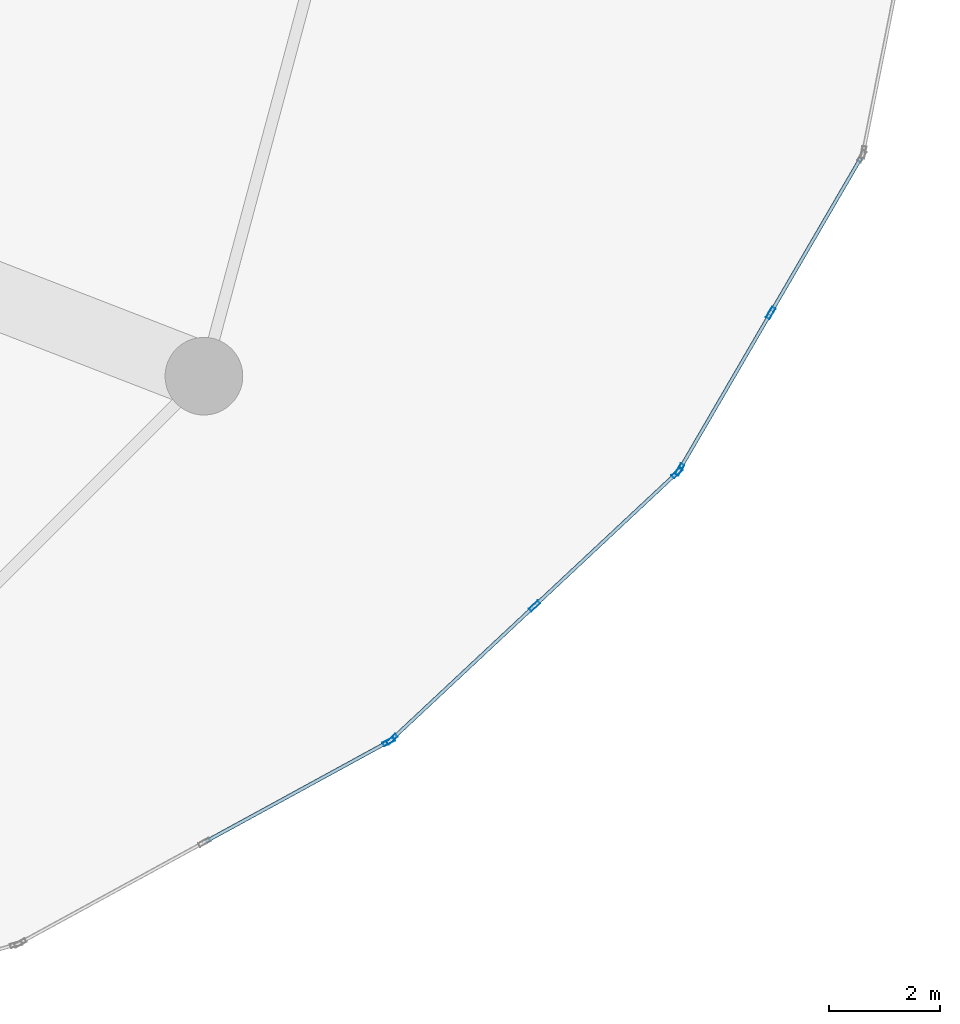
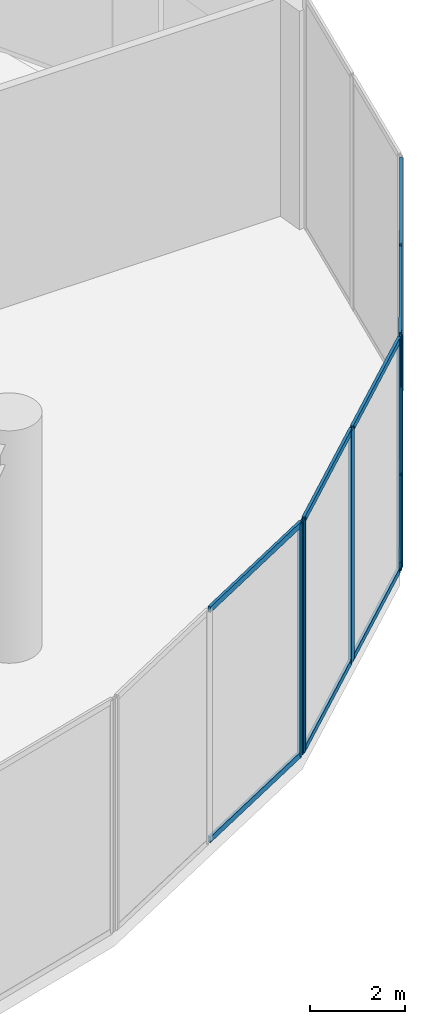
# One storey, part 11 of 28: 16 members, 3 elements without a shape of their own.
"""IFC4 building model written with IfcOpenShell, lengths in metres."""

from ifc_helpers import new_model, si_unit, direction, frame, origin, origin_2d, place, context, subcontext, project, spatial, hollow_rectangle, extrude, source, transform, mapped, material, layer, layer_set, material_profile, profile_set, type_object, element, aggregate, save


model = new_model("IFC4")

# Units and contexts
model_context = context("Model", 3, precision=1e-05, world=origin(), true_north=direction((0.0, 1.0)))
body_context = subcontext(model_context, "Body", "Model", "MODEL_VIEW")
ifc_project = project(units=[si_unit("LENGTHUNIT", "METRE"), si_unit("AREAUNIT", "SQUARE_METRE"), si_unit("VOLUMEUNIT", "CUBIC_METRE"), si_unit("PLANEANGLEUNIT", "RADIAN"), si_unit("MASSUNIT", "GRAM", prefix="KILO")], contexts=[model_context])

# Site, building, storey
site_placement = place(None, origin())
site = spatial("IfcSite", under=ifc_project, at=site_placement, CompositionType="ELEMENT")
building_placement = place(site_placement, origin())
building = spatial("IfcBuilding", under=site, at=building_placement, Name="Solvirekh Grand Hotel", CompositionType="ELEMENT")
storey_placement = place(building_placement, frame((0.0, 0.0, 12.60009765625)))
storey = spatial("IfcBuildingStorey", under=building, at=storey_placement, Name="L02", CompositionType="ELEMENT", Elevation=12.60009765625)

# Curtain wall, members
ifc_material = material(Name="Anodized Bronze Aluminium 6063-T6", Category="aluminium")
ifc_layer = layer(ifc_material, 0.219970703125)
ifc_layer_set = layer_set([ifc_layer], Name="Anodized Bronze Aluminium 6063-T6")
curtain_wall_type = type_object("IfcCurtainWallType", Name="CW_Sys1_PodiumBronzeUnitised", PredefinedType="NOTDEFINED", material=ifc_layer_set)
curtain_wall_1_placement = place(storey_placement, origin())
curtain_wall_1 = element("IfcCurtainWall", 1, at=curtain_wall_1_placement, inside=storey, type_object=curtain_wall_type, Name="L02 unitised bronze-glass curtain wall CW-L02-C22", PredefinedType="NOTDEFINED")
ifc_material_profile_1 = material_profile(ifc_material, hollow_rectangle(XDim=0.06494140625, YDim=0.14990234375, WallThickness=0.0048828125, at=origin_2d()), Name="ALU RHS 150X65X5")
ifc_profile_set_1 = profile_set([ifc_material_profile_1], Name="Anodized Bronze Aluminium 6063-T6")
member_type_1 = type_object("IfcMemberType", Name="CWTransom_Sys1", PredefinedType="USERDEFINED", material=ifc_profile_set_1)
shared_shape_1 = source(origin(), body_context, "Body", "SweptSolid", [
    extrude(hollow_rectangle(XDim=0.06494140625, YDim=0.14990234375, WallThickness=0.0048828125, at=origin_2d()), origin(), (0.0, 0.0, 1.0), 3.443115234375),
])
member_1_placement = place(storey_placement, frame((22.2978515625, -17.4208984375, 0.032470703125), z_axis=(0.730496178915, 0.682916783064, 0.0), x_axis=(-0.682916783064, 0.730496178915, 0.0)))
member_1 = element("IfcMember", 2, at=member_1_placement, type_object=member_type_1, Name="U01 transom 1.1", ObjectType="TRANSOM", PredefinedType="USERDEFINED", context=body_context, shape_type="MappedRepresentation", body=[
    mapped(shared_shape_1, transform((0.0, 0.0, 0.0), x_axis=(1.0, 0.0, 0.0), y_axis=(0.0, 1.0, 0.0), z_axis=(0.0, 0.0, 1.0), scale=1.0)),
])
member_2_placement = place(storey_placement, frame((22.2978515625, -17.4208984375, 5.96728515625), z_axis=(0.730496178915, 0.682916783064, 0.0), x_axis=(-0.682916783064, 0.730496178915, 0.0)))
member_2 = element("IfcMember", 3, at=member_2_placement, type_object=member_type_1, Name="U01 transom 1.2", ObjectType="TRANSOM", PredefinedType="USERDEFINED", context=body_context, shape_type="MappedRepresentation", body=[
    mapped(shared_shape_1, transform((0.0, 0.0, 0.0), x_axis=(1.0, 0.0, 0.0), y_axis=(0.0, 1.0, 0.0), z_axis=(0.0, 0.0, 1.0), scale=1.0)),
])
member_3_placement = place(storey_placement, frame((24.867919921875, -15.018310546875, 0.032470703125), z_axis=(0.73056461868, 0.682843567688, 0.0), x_axis=(-0.682843567688, 0.73056461868, 0.0)))
member_3 = element("IfcMember", 4, at=member_3_placement, type_object=member_type_1, Name="U01 transom 2.1", ObjectType="TRANSOM", PredefinedType="USERDEFINED", context=body_context, shape_type="MappedRepresentation", body=[
    mapped(shared_shape_1, transform((0.0, 0.0, 0.0), x_axis=(1.0, 0.0, 0.0), y_axis=(0.0, 1.0, 0.0), z_axis=(0.0, 0.0, 1.0), scale=1.0)),
])
member_4_placement = place(storey_placement, frame((24.867919921875, -15.018310546875, 5.96728515625), z_axis=(0.73056461868, 0.682843567688, 0.0), x_axis=(-0.682843567688, 0.73056461868, 0.0)))
member_4 = element("IfcMember", 5, at=member_4_placement, type_object=member_type_1, Name="U01 transom 2.2", ObjectType="TRANSOM", PredefinedType="USERDEFINED", context=body_context, shape_type="MappedRepresentation", body=[
    mapped(shared_shape_1, transform((0.0, 0.0, 0.0), x_axis=(1.0, 0.0, 0.0), y_axis=(0.0, 1.0, 0.0), z_axis=(0.0, 0.0, 1.0), scale=1.0)),
])

# Curtain wall, member
curtain_wall_2_placement = place(storey_placement, origin())
curtain_wall_2 = element("IfcCurtainWall", 6, at=curtain_wall_2_placement, inside=storey, type_object=curtain_wall_type, Name="L02 unitised bronze-glass curtain wall CW-L02-C21", PredefinedType="NOTDEFINED")
ifc_material_profile_2 = material_profile(ifc_material, hollow_rectangle(XDim=0.074951171875, YDim=0.219970703125, WallThickness=0.006103515625, at=origin_2d()), Name="ALU RHS 220X75X6")
ifc_profile_set_2 = profile_set([ifc_material_profile_2], Name="Anodized Bronze Aluminium 6063-T6")
member_type_2 = type_object("IfcMemberType", Name="CWMullion_Sys1", PredefinedType="MULLION", material=ifc_profile_set_2)
shared_shape_2 = source(origin(), body_context, "Body", "SweptSolid", [
    extrude(hollow_rectangle(XDim=0.074951171875, YDim=0.219970703125, WallThickness=0.006103515625, at=origin_2d()), origin(), (0.0, 0.0, 1.0), 6.0),
])
member_5_placement = place(storey_placement, frame((22.210205078125, -17.489990234375, 0.0), z_axis=(0.0, 0.0, 1.0), x_axis=(-0.479301044448, 0.877650561893, 0.0)))
member_5 = element("IfcMember", 7, at=member_5_placement, type_object=member_type_2, Name="U01 mullion 3", PredefinedType="MULLION", context=body_context, shape_type="MappedRepresentation", body=[
    mapped(shared_shape_2, transform((0.0, 0.0, 0.0), x_axis=(1.0, 0.0, 0.0), y_axis=(0.0, 1.0, 0.0), z_axis=(0.0, 0.0, 1.0), scale=1.0)),
])

# Member
member_6_placement = place(storey_placement, frame((22.2705078125, -17.4462890625, 0.0), z_axis=(0.0, 0.0, 1.0), x_axis=(-0.682869194888, 0.730540664627, 0.0)))
member_6 = element("IfcMember", 8, at=member_6_placement, type_object=member_type_2, Name="U01 mullion 1", PredefinedType="MULLION", context=body_context, shape_type="MappedRepresentation", body=[
    mapped(shared_shape_2, transform((0.0, 0.0, 0.0), x_axis=(1.0, 0.0, 0.0), y_axis=(0.0, 1.0, 0.0), z_axis=(0.0, 0.0, 1.0), scale=1.0)),
])

member_7_placement = place(storey_placement, frame((24.840576171875, -15.0439453125, 0.0), z_axis=(0.0, 0.0, 1.0), x_axis=(-0.682869194888, 0.730540664627, 0.0)))
member_7 = element("IfcMember", 9, at=member_7_placement, type_object=member_type_2, Name="U01 mullion 2", PredefinedType="MULLION", context=body_context, shape_type="MappedRepresentation", body=[
    mapped(shared_shape_2, transform((0.0, 0.0, 0.0), x_axis=(1.0, 0.0, 0.0), y_axis=(0.0, 1.0, 0.0), z_axis=(0.0, 0.0, 1.0), scale=1.0)),
])

member_8_placement = place(storey_placement, frame((27.41064453125, -12.6416015625, 0.0), z_axis=(0.0, 0.0, 1.0), x_axis=(-0.682869194888, 0.730540664627, 0.0)))
member_8 = element("IfcMember", 10, at=member_8_placement, type_object=member_type_2, Name="U01 mullion 3", PredefinedType="MULLION", context=body_context, shape_type="MappedRepresentation", body=[
    mapped(shared_shape_2, transform((0.0, 0.0, 0.0), x_axis=(1.0, 0.0, 0.0), y_axis=(0.0, 1.0, 0.0), z_axis=(0.0, 0.0, 1.0), scale=1.0)),
])

aggregate(curtain_wall_1, [member_6, member_7, member_8, member_1, member_2, member_3, member_4])

# Curtain wall, members
curtain_wall_3_placement = place(storey_placement, origin())
curtain_wall_3 = element("IfcCurtainWall", 11, at=curtain_wall_3_placement, inside=storey, type_object=curtain_wall_type, Name="L02 unitised bronze-glass curtain wall CW-L02-C23", PredefinedType="NOTDEFINED")
member_9_placement = place(storey_placement, frame((27.456787109375, -12.58349609375, 0.0), z_axis=(0.0, 0.0, 1.0), x_axis=(-0.864354314158, 0.502883306143, 0.0)))
member_9 = element("IfcMember", 12, at=member_9_placement, type_object=member_type_2, Name="U01 mullion 1", PredefinedType="MULLION", context=body_context, shape_type="MappedRepresentation", body=[
    mapped(shared_shape_2, transform((0.0, 0.0, 0.0), x_axis=(1.0, 0.0, 0.0), y_axis=(0.0, 1.0, 0.0), z_axis=(0.0, 0.0, 1.0), scale=1.0)),
])
member_10_placement = place(storey_placement, frame((29.1005859375, -9.758544921875, 0.0), z_axis=(0.0, 0.0, 1.0), x_axis=(-0.864354314158, 0.502883306143, 0.0)))
member_10 = element("IfcMember", 13, at=member_10_placement, type_object=member_type_2, Name="U01 mullion 2", PredefinedType="MULLION", context=body_context, shape_type="MappedRepresentation", body=[
    mapped(shared_shape_2, transform((0.0, 0.0, 0.0), x_axis=(1.0, 0.0, 0.0), y_axis=(0.0, 1.0, 0.0), z_axis=(0.0, 0.0, 1.0), scale=1.0)),
])

# Member
shared_shape_3 = source(origin(), body_context, "Body", "SweptSolid", [
    extrude(hollow_rectangle(XDim=0.06494140625, YDim=0.14990234375, WallThickness=0.0048828125, at=origin_2d()), origin(), (0.0, 0.0, 1.0), 3.7109375),
])
member_11_placement = place(storey_placement, frame((18.92041015625, -19.28662109375, 0.032470703125), z_axis=(0.877656603382, 0.479289981682, 0.0), x_axis=(-0.479289981682, 0.877656603382, 0.0)))
member_11 = element("IfcMember", 14, at=member_11_placement, type_object=member_type_1, Name="U01 transom 2.1", ObjectType="TRANSOM", PredefinedType="USERDEFINED", context=body_context, shape_type="MappedRepresentation", body=[
    mapped(shared_shape_3, transform((0.0, 0.0, 0.0), x_axis=(1.0, 0.0, 0.0), y_axis=(0.0, 1.0, 0.0), z_axis=(0.0, 0.0, 1.0), scale=1.0)),
])

member_12_placement = place(storey_placement, frame((18.92041015625, -19.28662109375, 5.96728515625), z_axis=(0.877656603382, 0.479289981682, 0.0), x_axis=(-0.479289981682, 0.877656603382, 0.0)))
member_12 = element("IfcMember", 15, at=member_12_placement, type_object=member_type_1, Name="U01 transom 2.2", ObjectType="TRANSOM", PredefinedType="USERDEFINED", context=body_context, shape_type="MappedRepresentation", body=[
    mapped(shared_shape_3, transform((0.0, 0.0, 0.0), x_axis=(1.0, 0.0, 0.0), y_axis=(0.0, 1.0, 0.0), z_axis=(0.0, 0.0, 1.0), scale=1.0)),
])

aggregate(curtain_wall_2, [member_5, member_11, member_12])

shared_shape_4 = source(origin(), body_context, "Body", "SweptSolid", [
    extrude(hollow_rectangle(XDim=0.06494140625, YDim=0.14990234375, WallThickness=0.0048828125, at=origin_2d()), origin(), (0.0, 0.0, 1.0), 3.193359375),
])
member_13_placement = place(storey_placement, frame((27.475830078125, -12.55126953125, 0.032470703125), z_axis=(0.50283438187, 0.864382776558, 0.0), x_axis=(-0.864382776558, 0.50283438187, 0.0)))
member_13 = element("IfcMember", 16, at=member_13_placement, type_object=member_type_1, Name="U01 transom 1.1", ObjectType="TRANSOM", PredefinedType="USERDEFINED", context=body_context, shape_type="MappedRepresentation", body=[
    mapped(shared_shape_4, transform((0.0, 0.0, 0.0), x_axis=(1.0, 0.0, 0.0), y_axis=(0.0, 1.0, 0.0), z_axis=(0.0, 0.0, 1.0), scale=1.0)),
])

member_14_placement = place(storey_placement, frame((27.475830078125, -12.55126953125, 5.96728515625), z_axis=(0.50283438187, 0.864382776558, 0.0), x_axis=(-0.864382776558, 0.50283438187, 0.0)))
member_14 = element("IfcMember", 17, at=member_14_placement, type_object=member_type_1, Name="U01 transom 1.2", ObjectType="TRANSOM", PredefinedType="USERDEFINED", context=body_context, shape_type="MappedRepresentation", body=[
    mapped(shared_shape_4, transform((0.0, 0.0, 0.0), x_axis=(1.0, 0.0, 0.0), y_axis=(0.0, 1.0, 0.0), z_axis=(0.0, 0.0, 1.0), scale=1.0)),
])

member_15_placement = place(storey_placement, frame((29.119384765625, -9.72607421875, 0.032470703125), z_axis=(0.502891501356, 0.864349546112, 0.0), x_axis=(-0.864349546112, 0.502891501356, 0.0)))
member_15 = element("IfcMember", 18, at=member_15_placement, type_object=member_type_1, Name="U01 transom 2.1", ObjectType="TRANSOM", PredefinedType="USERDEFINED", context=body_context, shape_type="MappedRepresentation", body=[
    mapped(shared_shape_4, transform((0.0, 0.0, 0.0), x_axis=(1.0, 0.0, 0.0), y_axis=(0.0, 1.0, 0.0), z_axis=(0.0, 0.0, 1.0), scale=1.0)),
])

member_16_placement = place(storey_placement, frame((29.119384765625, -9.72607421875, 5.96728515625), z_axis=(0.502891501356, 0.864349546112, 0.0), x_axis=(-0.864349546112, 0.502891501356, 0.0)))
member_16 = element("IfcMember", 19, at=member_16_placement, type_object=member_type_1, Name="U01 transom 2.2", ObjectType="TRANSOM", PredefinedType="USERDEFINED", context=body_context, shape_type="MappedRepresentation", body=[
    mapped(shared_shape_4, transform((0.0, 0.0, 0.0), x_axis=(1.0, 0.0, 0.0), y_axis=(0.0, 1.0, 0.0), z_axis=(0.0, 0.0, 1.0), scale=1.0)),
])

aggregate(curtain_wall_3, [member_9, member_10, member_13, member_14, member_15, member_16])

save(model, "model.ifc")
